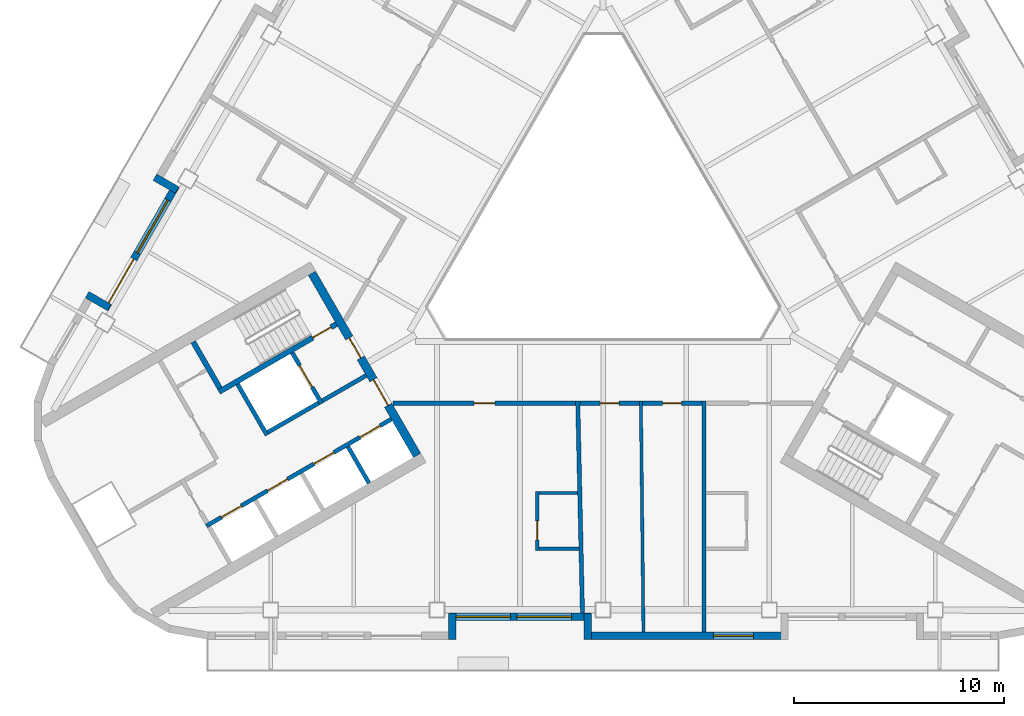
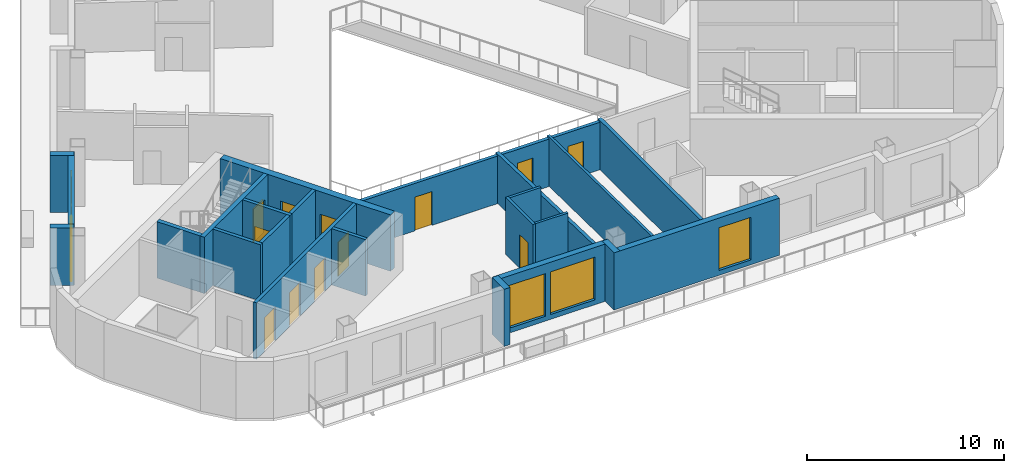
# One storey, part 3 of 13: 25 walls, 13 doors, 4 windows, 17 openings.
"""IFC4 building model written with IfcOpenShell, lengths in metres."""

from ifc_helpers import new_model, si_unit, direction, frame, frame_2d, origin, place, context, subcontext, project, spatial, rectangle, extrude, material, layer, layer_set, type_object, element, fill, save


model = new_model("IFC4")

# Units and contexts
model_context = context("Model", 3, precision=1e-05, world=origin(), true_north=direction((0.0, 1.0)))
body_context = subcontext(model_context, "Body", "Model", "MODEL_VIEW")
ifc_project = project(units=[si_unit("LENGTHUNIT", "METRE"), si_unit("AREAUNIT", "SQUARE_METRE"), si_unit("VOLUMEUNIT", "CUBIC_METRE"), si_unit("PLANEANGLEUNIT", "RADIAN"), si_unit("MASSUNIT", "GRAM", prefix="KILO")], contexts=[model_context])

# Site, building, storey
site_placement = place(None, origin())
site = spatial("IfcSite", under=ifc_project, at=site_placement, CompositionType="ELEMENT")
building_placement = place(site_placement, origin())
building = spatial("IfcBuilding", under=site, at=building_placement, Name="Apuvela Tower Hotel", CompositionType="ELEMENT")
storey_placement = place(building_placement, frame((0.0, 0.0, 194.699951171875)))
storey = spatial("IfcBuildingStorey", under=building, at=storey_placement, Name="L47", CompositionType="ELEMENT", Elevation=194.699951171875)

# Wall, openings, doors
ifc_material_1 = material(Name="Concrete C50/60", Category="concrete")
ifc_layer_1 = layer(ifc_material_1, 0.39990234375)
ifc_layer_set_1 = layer_set([ifc_layer_1], Name="COR-WALL-CORE-400")
wall_type_1 = type_object("IfcWallType", Name="COR-WALL-CORE-400", PredefinedType="SHEAR", material=ifc_layer_set_1)
wall_1_placement = place(storey_placement, frame((-13.844970703125, -2.219970703125, 0.0), z_axis=(0.0, 0.0, 1.0), x_axis=(0.500004234368, -0.866022959057, 0.0)))
wall_1 = element("IfcWall", 1, at=wall_1_placement, inside=storey, type_object=wall_type_1, Name="Core wall SW", PredefinedType="SHEAR", context=body_context, shape_type="SweptSolid", body=[
    extrude(rectangle(XDim=10.0, YDim=0.39990234375, at=frame_2d((5.0, 0.0))), origin(), (0.0, 0.0, 1.0), 3.5),
])
opening_1_placement = place(wall_1_placement, frame((3.550048828125, 0.0, 0.0)))
opening_1 = element("IfcOpeningElement", 2, at=opening_1_placement, cuts=wall_1, Name="Opening W-FD", PredefinedType="OPENING", context=body_context, shape_type="SweptSolid", body=[
    extrude(rectangle(XDim=1.10009765625, YDim=2.10009765625, at=frame_2d((0.550048828125, 1.050048828125))), frame((0.0, 0.2099609375, 0.0), z_axis=(0.0, -1.0, 0.0), x_axis=(1.0, 0.0, 0.0)), (0.0, 0.0, 1.0), 0.419921875),
])
opening_2_placement = place(wall_1_placement, frame((5.85009765625, 0.0, 0.0)))
opening_2 = element("IfcOpeningElement", 3, at=opening_2_placement, cuts=wall_1, Name="Opening W-GD", PredefinedType="OPENING", context=body_context, shape_type="SweptSolid", body=[
    extrude(rectangle(XDim=1.39990234375, YDim=2.10009765625, at=frame_2d((0.699951171875, 1.050048828125))), frame((0.0, 0.2099609375, 0.0), z_axis=(0.0, -1.0, 0.0), x_axis=(1.0, 0.0, 0.0)), (0.0, 0.0, 1.0), 0.419921875),
])
ifc_material_2 = material(Name="Steel fire door, powder coated", Category="steel")
door_type_1 = type_object("IfcDoorType", Name="COR-FD-1100", OperationType="NOTDEFINED", PredefinedType="DOOR", material=ifc_material_2)
door_1_placement = place(opening_1_placement, frame((1.10009765625, 0.0, 0.0), z_axis=(0.0, 0.0, 1.0), x_axis=(-1.0, 0.0, 0.0)))
door_1 = element("IfcDoor", 4, at=door_1_placement, inside=storey, type_object=door_type_1, Name="Firefighting lobby door W-FD", OperationType="SINGLE_SWING_LEFT", OverallHeight=2.10009765625, OverallWidth=1.10009765625, PredefinedType="DOOR", context=body_context, shape_type="SweptSolid", body=[
    extrude(rectangle(XDim=1.10009765625, YDim=2.10009765625, at=frame_2d((0.550048828125, 1.050048828125))), frame((0.0, 0.02490234375, 0.0), z_axis=(0.0, -1.0, 0.0), x_axis=(1.0, 0.0, 0.0)), (0.0, 0.0, 1.0), 0.050048828125),
])
fill(opening_1, door_1)
ifc_material_3 = material(Name="Glazed steel fire door", Category="steel")
door_type_2 = type_object("IfcDoorType", Name="COR-GD-1400", OperationType="DOUBLE_DOOR_SINGLE_SWING", PredefinedType="DOOR", material=ifc_material_3)
door_2_placement = place(opening_2_placement, frame((1.39990234375, 0.0, 0.0), z_axis=(0.0, 0.0, 1.0), x_axis=(-1.0, 0.0, 0.0)))
door_2 = element("IfcDoor", 5, at=door_2_placement, inside=storey, type_object=door_type_2, Name="Lift lobby door W-GD", OperationType="DOUBLE_DOOR_SINGLE_SWING", OverallHeight=2.10009765625, OverallWidth=1.39990234375, PredefinedType="DOOR", context=body_context, shape_type="SweptSolid", body=[
    extrude(rectangle(XDim=1.39990234375, YDim=2.10009765625, at=frame_2d((0.699951171875, 1.050048828125))), frame((0.0, 0.02490234375, 0.0), z_axis=(0.0, -1.0, 0.0), x_axis=(1.0, 0.0, 0.0)), (0.0, 0.0, 1.0), 0.050048828125),
])
fill(opening_2, door_2)

# Wall
ifc_layer_2 = layer(ifc_material_1, 0.199951171875)
ifc_layer_set_2 = layer_set([ifc_layer_2], Name="COR-WALL-SHAFT-200")
wall_type_2 = type_object("IfcWallType", Name="COR-WALL-SHAFT-200", PredefinedType="SHEAR", material=ifc_layer_set_2)
wall_2_placement = place(storey_placement, frame((-17.38134765625, -7.49462890625, 0.0), z_axis=(0.0, 0.0, 1.0), x_axis=(0.500011755427, -0.866018616679, 0.0)))
element("IfcWall", 6, at=wall_2_placement, inside=storey, type_object=wall_type_2, Name="Shaft wall SW", PredefinedType="SHEAR", context=body_context, shape_type="SweptSolid", body=[
    extrude(rectangle(XDim=2.80029296875, YDim=0.199951171875, at=frame_2d((1.400146484375, 0.0))), origin(), (0.0, 0.0, 1.0), 3.5),
])

# Wall, opening, door
wall_3_placement = place(storey_placement, frame((-14.783203125, -5.99462890625, 0.0), z_axis=(0.0, 0.0, 1.0), x_axis=(0.49994636267, -0.866056369097, 0.0)))
wall_3 = element("IfcWall", 7, at=wall_3_placement, inside=storey, type_object=wall_type_2, Name="Shaft wall SW", PredefinedType="SHEAR", context=body_context, shape_type="SweptSolid", body=[
    extrude(rectangle(XDim=2.800048828125, YDim=0.199951171875, at=frame_2d((1.39990234375, 0.0))), origin(), (0.0, 0.0, 1.0), 3.5),
])
opening_3_placement = place(wall_3_placement, frame((0.699951171875, 0.0, 0.0)))
opening_3 = element("IfcOpeningElement", 8, at=opening_3_placement, cuts=wall_3, Name="Opening W-LD-FS2", PredefinedType="OPENING", context=body_context, shape_type="SweptSolid", body=[
    extrude(rectangle(XDim=1.199951171875, YDim=2.10009765625, at=frame_2d((0.60009765625, 1.050048828125))), frame((0.0, 0.10986328125, 0.0), z_axis=(0.0, -1.0, 0.0), x_axis=(1.0, 0.0, 0.0)), (0.0, 0.0, 1.0), 0.219970703125),
])
ifc_material_4 = material(Name="Stainless steel lift landing door", Category="steel")
door_type_3 = type_object("IfcDoorType", Name="COR-LD-1200", OperationType="DOUBLE_DOOR_SLIDING", PredefinedType="DOOR", material=ifc_material_4)
door_3_placement = place(opening_3_placement, origin())
door_3 = element("IfcDoor", 9, at=door_3_placement, inside=storey, type_object=door_type_3, Name="Lift landing door W-LD-FS2", OperationType="DOUBLE_DOOR_SLIDING", OverallHeight=2.10009765625, OverallWidth=1.199951171875, PredefinedType="DOOR", context=body_context, shape_type="SweptSolid", body=[
    extrude(rectangle(XDim=1.199951171875, YDim=2.10009765625, at=frame_2d((0.60009765625, 1.050048828125))), frame((0.0, 0.02490234375, 0.0), z_axis=(0.0, -1.0, 0.0), x_axis=(1.0, 0.0, 0.0)), (0.0, 0.0, 1.0), 0.050048828125),
])
fill(opening_3, door_3)

# Walls
wall_4_placement = place(storey_placement, frame((-13.519775390625, -8.383056640625, 0.0), z_axis=(0.0, 0.0, 1.0), x_axis=(-0.866034573852, -0.49998411664, 0.0)))
element("IfcWall", 10, at=wall_4_placement, inside=storey, type_object=wall_type_2, Name="Shaft wall SW", PredefinedType="SHEAR", context=body_context, shape_type="SweptSolid", body=[
    extrude(rectangle(XDim=2.7998046875, YDim=0.199951171875, at=frame_2d((1.39990234375, 0.0))), origin(), (0.0, 0.0, 1.0), 3.5),
])
wall_5_placement = place(storey_placement, frame((-11.26806640625, -7.0830078125, 0.0), z_axis=(0.0, 0.0, 1.0), x_axis=(-0.866050077142, -0.499957262057, 0.0)))
element("IfcWall", 11, at=wall_5_placement, inside=storey, type_object=wall_type_2, Name="Shaft wall SW", PredefinedType="SHEAR", context=body_context, shape_type="SweptSolid", body=[
    extrude(rectangle(XDim=2.400146484375, YDim=0.199951171875, at=frame_2d((1.2001953125, 0.0))), origin(), (0.0, 0.0, 1.0), 3.5),
])

# Wall, openings, doors
wall_6_placement = place(storey_placement, frame((-10.068115234375, -9.16162109375, 0.0), z_axis=(0.0, 0.0, 1.0), x_axis=(-0.866032725843, -0.499987317609, 0.0)))
wall_6 = element("IfcWall", 12, at=wall_6_placement, inside=storey, type_object=wall_type_2, Name="Shaft wall SW", PredefinedType="SHEAR", context=body_context, shape_type="SweptSolid", body=[
    extrude(rectangle(XDim=10.159912109375, YDim=0.199951171875, at=frame_2d((5.080078125, 0.0))), origin(), (0.0, 0.0, 1.0), 3.5),
])
opening_4_placement = place(wall_6_placement, frame((0.6201171875, 0.0, 0.0)))
opening_4 = element("IfcOpeningElement", 13, at=opening_4_placement, cuts=wall_6, Name="Opening W-LD-MR1", PredefinedType="OPENING", context=body_context, shape_type="SweptSolid", body=[
    extrude(rectangle(XDim=1.10009765625, YDim=2.10009765625, at=frame_2d((0.550048828125, 1.050048828125))), frame((0.0, 0.10986328125, 0.0), z_axis=(0.0, -1.0, 0.0), x_axis=(1.0, 0.0, 0.0)), (0.0, 0.0, 1.0), 0.219970703125),
])
opening_5_placement = place(wall_6_placement, frame((3.159912109375, 0.0, 0.0)))
opening_5 = element("IfcOpeningElement", 14, at=opening_5_placement, cuts=wall_6, Name="Opening W-LD-MR2", PredefinedType="OPENING", context=body_context, shape_type="SweptSolid", body=[
    extrude(rectangle(XDim=1.10009765625, YDim=2.10009765625, at=frame_2d((0.550048828125, 1.050048828125))), frame((0.0, 0.10986328125, 0.0), z_axis=(0.0, -1.0, 0.0), x_axis=(1.0, 0.0, 0.0)), (0.0, 0.0, 1.0), 0.219970703125),
])
opening_6_placement = place(wall_6_placement, frame((5.699951171875, 0.0, 0.0)))
opening_6 = element("IfcOpeningElement", 15, at=opening_6_placement, cuts=wall_6, Name="Opening W-LD-MR3", PredefinedType="OPENING", context=body_context, shape_type="SweptSolid", body=[
    extrude(rectangle(XDim=1.10009765625, YDim=2.10009765625, at=frame_2d((0.550048828125, 1.050048828125))), frame((0.0, 0.10986328125, 0.0), z_axis=(0.0, -1.0, 0.0), x_axis=(1.0, 0.0, 0.0)), (0.0, 0.0, 1.0), 0.219970703125),
])
opening_7_placement = place(wall_6_placement, frame((8.239990234375, 0.0, 0.0)))
opening_7 = element("IfcOpeningElement", 16, at=opening_7_placement, cuts=wall_6, Name="Opening W-LD-MR4", PredefinedType="OPENING", context=body_context, shape_type="SweptSolid", body=[
    extrude(rectangle(XDim=1.10009765625, YDim=2.10009765625, at=frame_2d((0.550048828125, 1.050048828125))), frame((0.0, 0.10986328125, 0.0), z_axis=(0.0, -1.0, 0.0), x_axis=(1.0, 0.0, 0.0)), (0.0, 0.0, 1.0), 0.219970703125),
])
door_type_4 = type_object("IfcDoorType", Name="COR-LD-1100", OperationType="DOUBLE_DOOR_SLIDING", PredefinedType="DOOR", material=ifc_material_4)
door_4_placement = place(opening_4_placement, origin())
door_4 = element("IfcDoor", 17, at=door_4_placement, inside=storey, type_object=door_type_4, Name="Lift landing door W-LD-MR1", OperationType="DOUBLE_DOOR_SLIDING", OverallHeight=2.10009765625, OverallWidth=1.10009765625, PredefinedType="DOOR", context=body_context, shape_type="SweptSolid", body=[
    extrude(rectangle(XDim=1.10009765625, YDim=2.10009765625, at=frame_2d((0.550048828125, 1.050048828125))), frame((0.0, 0.02490234375, 0.0), z_axis=(0.0, -1.0, 0.0), x_axis=(1.0, 0.0, 0.0)), (0.0, 0.0, 1.0), 0.050048828125),
])
fill(opening_4, door_4)
door_5_placement = place(opening_5_placement, origin())
door_5 = element("IfcDoor", 18, at=door_5_placement, inside=storey, type_object=door_type_4, Name="Lift landing door W-LD-MR2", OperationType="DOUBLE_DOOR_SLIDING", OverallHeight=2.10009765625, OverallWidth=1.10009765625, PredefinedType="DOOR", context=body_context, shape_type="SweptSolid", body=[
    extrude(rectangle(XDim=1.10009765625, YDim=2.10009765625, at=frame_2d((0.550048828125, 1.050048828125))), frame((0.0, 0.02490234375, 0.0), z_axis=(0.0, -1.0, 0.0), x_axis=(1.0, 0.0, 0.0)), (0.0, 0.0, 1.0), 0.050048828125),
])
fill(opening_5, door_5)
door_6_placement = place(opening_6_placement, origin())
door_6 = element("IfcDoor", 19, at=door_6_placement, inside=storey, type_object=door_type_4, Name="Lift landing door W-LD-MR3", OperationType="DOUBLE_DOOR_SLIDING", OverallHeight=2.10009765625, OverallWidth=1.10009765625, PredefinedType="DOOR", context=body_context, shape_type="SweptSolid", body=[
    extrude(rectangle(XDim=1.10009765625, YDim=2.10009765625, at=frame_2d((0.550048828125, 1.050048828125))), frame((0.0, 0.02490234375, 0.0), z_axis=(0.0, -1.0, 0.0), x_axis=(1.0, 0.0, 0.0)), (0.0, 0.0, 1.0), 0.050048828125),
])
fill(opening_6, door_6)
door_7_placement = place(opening_7_placement, origin())
door_7 = element("IfcDoor", 20, at=door_7_placement, inside=storey, type_object=door_type_4, Name="Lift landing door W-LD-MR4", OperationType="DOUBLE_DOOR_SLIDING", OverallHeight=2.10009765625, OverallWidth=1.10009765625, PredefinedType="DOOR", context=body_context, shape_type="SweptSolid", body=[
    extrude(rectangle(XDim=1.10009765625, YDim=2.10009765625, at=frame_2d((0.550048828125, 1.050048828125))), frame((0.0, 0.02490234375, 0.0), z_axis=(0.0, -1.0, 0.0), x_axis=(1.0, 0.0, 0.0)), (0.0, 0.0, 1.0), 0.050048828125),
])
fill(opening_7, door_7)

# Wall
wall_7_placement = place(storey_placement, frame((-12.131103515625, -10.468017578125, 0.0), z_axis=(0.0, 0.0, 1.0), x_axis=(0.499972520799, -0.866041268327, 0.0)))
element("IfcWall", 21, at=wall_7_placement, inside=storey, type_object=wall_type_2, Name="Shaft wall SW", PredefinedType="SHEAR", context=body_context, shape_type="SweptSolid", body=[
    extrude(rectangle(XDim=2.0, YDim=0.199951171875, at=frame_2d((1.0, 0.0))), origin(), (0.0, 0.0, 1.0), 3.5),
])

# Wall, opening, door
ifc_layer_3 = layer(ifc_material_1, 0.25)
ifc_layer_set_3 = layer_set([ifc_layer_3], Name="COR-WALL-STAIR-250")
wall_type_3 = type_object("IfcWallType", Name="COR-WALL-STAIR-250", PredefinedType="SHEAR", material=ifc_layer_set_3)
wall_8_placement = place(storey_placement, frame((-12.6806640625, -4.636474609375, 0.0), z_axis=(0.0, 0.0, 1.0), x_axis=(-0.866021702275, -0.500006411147, 0.0)))
wall_8 = element("IfcWall", 22, at=wall_8_placement, inside=storey, type_object=wall_type_3, Name="Stair wall SW", PredefinedType="SHEAR", context=body_context, shape_type="SweptSolid", body=[
    extrude(rectangle(XDim=6.4501953125, YDim=0.25, at=frame_2d((3.22509765625, 0.0))), origin(), (0.0, 0.0, 1.0), 3.5),
])
opening_8_placement = place(wall_8_placement, frame((0.300048828125, 0.0, 0.0)))
opening_8 = element("IfcOpeningElement", 23, at=opening_8_placement, cuts=wall_8, Name="Opening W-SD", PredefinedType="OPENING", context=body_context, shape_type="SweptSolid", body=[
    extrude(rectangle(XDim=1.0, YDim=2.10009765625, at=frame_2d((0.5, 1.050048828125))), frame((0.0, 0.135009765625, 0.0), z_axis=(0.0, -1.0, 0.0), x_axis=(1.0, 0.0, 0.0)), (0.0, 0.0, 1.0), 0.27001953125),
])
door_type_5 = type_object("IfcDoorType", Name="COR-SD-1000", OperationType="NOTDEFINED", PredefinedType="DOOR", material=ifc_material_2)
door_8_placement = place(opening_8_placement, frame((1.0, 0.0, 0.0), z_axis=(0.0, 0.0, 1.0), x_axis=(-1.0, 0.0, 0.0)))
door_8 = element("IfcDoor", 24, at=door_8_placement, inside=storey, type_object=door_type_5, Name="Stair door W-SD", OperationType="SINGLE_SWING_LEFT", OverallHeight=2.10009765625, OverallWidth=1.0, PredefinedType="DOOR", context=body_context, shape_type="SweptSolid", body=[
    extrude(rectangle(XDim=1.0, YDim=2.10009765625, at=frame_2d((0.5, 1.050048828125))), frame((0.0, 0.02490234375, 0.0), z_axis=(0.0, -1.0, 0.0), x_axis=(1.0, 0.0, 0.0)), (0.0, 0.0, 1.0), 0.050048828125),
])
fill(opening_8, door_8)

# Walls
wall_9_placement = place(storey_placement, frame((-19.49560546875, -5.482421875, 0.0), z_axis=(0.0, 0.0, 1.0), x_axis=(0.499990435942, -0.866030925526, 0.0)))
element("IfcWall", 25, at=wall_9_placement, inside=storey, type_object=wall_type_3, Name="Stair wall SW", PredefinedType="SHEAR", context=body_context, shape_type="SweptSolid", body=[
    extrude(rectangle(XDim=2.5498046875, YDim=0.25, at=frame_2d((1.27490234375, 0.0))), origin(), (0.0, 0.0, 1.0), 3.5),
])
ifc_material_5 = material(Name="Concrete C40/50, dark pigmented precast panel", Category="concrete")
ifc_layer_4 = layer(ifc_material_5, 0.35009765625)
ifc_layer_set_4 = layer_set([ifc_layer_4], Name="ENV-WALL-350")
wall_type_4 = type_object("IfcWallType", Name="ENV-WALL-350", PredefinedType="SOLIDWALL", material=ifc_layer_set_4)
wall_10_placement = place(storey_placement, frame((-21.3125, 2.345703125, 0.0), z_axis=(0.0, 0.0, 1.0), x_axis=(0.866005645448, -0.500034220881, 0.0)))
element("IfcWall", 26, at=wall_10_placement, inside=storey, type_object=wall_type_4, Name="External wall L47-06", PredefinedType="SOLIDWALL", context=body_context, shape_type="SweptSolid", body=[
    extrude(rectangle(XDim=1.22021484375, YDim=0.35009765625, at=frame_2d((0.610107421875, 0.0))), origin(), (0.0, 0.0, 1.0), 3.550048828125),
])

# Wall, openings, door, window
wall_11_placement = place(storey_placement, frame((-20.30908203125, 1.93359375, 0.0), z_axis=(0.0, 0.0, 1.0), x_axis=(-0.499992114976, -0.866029956157, 0.0)))
wall_11 = element("IfcWall", 27, at=wall_11_placement, inside=storey, type_object=wall_type_4, Name="External wall L47-07", PredefinedType="SOLIDWALL", context=body_context, shape_type="SweptSolid", body=[
    extrude(rectangle(XDim=6.73974609375, YDim=0.35009765625, at=frame_2d((3.369873046875, 0.0))), origin(), (0.0, 0.0, 1.0), 3.550048828125),
])
opening_9_placement = place(wall_11_placement, frame((4.02001953125, 0.0, 0.0)))
opening_9 = element("IfcOpeningElement", 28, at=opening_9_placement, cuts=wall_11, Name="Opening BD24", PredefinedType="OPENING", context=body_context, shape_type="SweptSolid", body=[
    extrude(rectangle(XDim=2.39990234375, YDim=2.39990234375, at=frame_2d((1.199951171875, 1.199951171875))), frame((0.0, 0.18505859375, 0.0), z_axis=(0.0, -1.0, 0.0), x_axis=(1.0, 0.0, 0.0)), (0.0, 0.0, 1.0), 0.3701171875),
])
opening_10_placement = place(wall_11_placement, frame((0.77001953125, 0.0, 0.300048828125)))
opening_10 = element("IfcOpeningElement", 29, at=opening_10_placement, cuts=wall_11, Name="Opening WN29", PredefinedType="OPENING", context=body_context, shape_type="SweptSolid", body=[
    extrude(rectangle(XDim=2.89990234375, YDim=2.64990234375, at=frame_2d((1.449951171875, 1.324951171875))), frame((0.0, 0.18505859375, 0.0), z_axis=(0.0, -1.0, 0.0), x_axis=(1.0, 0.0, 0.0)), (0.0, 0.0, 1.0), 0.3701171875),
])
ifc_material_6 = material(Name="Aluminium 6063-T6, dark bronze anodised frame with dark tinted laminated glass", Category="aluminium")
door_type_6 = type_object("IfcDoorType", Name="ENV-DOOR-BALCONY-2400x2400", OperationType="SLIDING_TO_LEFT", PredefinedType="DOOR", material=ifc_material_6)
door_9_placement = place(opening_9_placement, frame((2.39990234375, 0.0, 0.0), z_axis=(0.0, 0.0, 1.0), x_axis=(-1.0, 0.0, 0.0)))
door_9 = element("IfcDoor", 30, at=door_9_placement, inside=storey, type_object=door_type_6, Name="Balcony door BD24", OperationType="SLIDING_TO_LEFT", OverallHeight=2.39990234375, OverallWidth=2.39990234375, PredefinedType="DOOR", context=body_context, shape_type="SweptSolid", body=[
    extrude(rectangle(XDim=2.39990234375, YDim=2.39990234375, at=frame_2d((1.199951171875, 1.199951171875))), frame((0.0, 0.02490234375, 0.0), z_axis=(0.0, -1.0, 0.0), x_axis=(1.0, 0.0, 0.0)), (0.0, 0.0, 1.0), 0.050048828125),
])
fill(opening_9, door_9)
ifc_material_7 = material(Name="Glass, dark tinted laminated insulated glazing unit", Category="glass")
window_type_1 = type_object("IfcWindowType", Name="ENV-WIN-2900x2650", PartitioningType="SINGLE_PANEL", PredefinedType="WINDOW", material=ifc_material_7)
window_1_placement = place(opening_10_placement, origin())
window_1 = element("IfcWindow", 31, at=window_1_placement, inside=storey, type_object=window_type_1, Name="Window WN29", OverallHeight=2.64990234375, OverallWidth=2.89990234375, PartitioningType="SINGLE_PANEL", PredefinedType="WINDOW", context=body_context, shape_type="SweptSolid", body=[
    extrude(rectangle(XDim=2.89990234375, YDim=2.64990234375, at=frame_2d((1.449951171875, 1.324951171875))), frame((0.0, 0.030029296875, 0.0), z_axis=(0.0, -1.0, 0.0), x_axis=(1.0, 0.0, 0.0)), (0.0, 0.0, 1.0), 0.06005859375),
])
fill(opening_10, window_1)

# Walls
for number, where, z_axis, x_axis, name in (
    (32, (-23.48095703125, -3.85009765625, 0.0), (0.0, 0.0, 1.0), (-0.866092288191, 0.499884134912, 0.0), "External wall L47-08"),
    (33, (-7.175048828125, -19.6298828125, 0.0), (0.0, 0.0, 1.0), (0.0, 1.0, 0.0), "External wall L47-18"),
):
    element("IfcWall", number, at=place(storey_placement, frame(where, z_axis=z_axis, x_axis=x_axis)), inside=storey, type_object=wall_type_4, Name=name, PredefinedType="SOLIDWALL", context=body_context, shape_type="SweptSolid", body=[
        extrude(rectangle(XDim=1.219970703125, YDim=0.35009765625, at=frame_2d((0.60986328125, 0.0))), origin(), (0.0, 0.0, 1.0), 3.550048828125),
    ])

# Wall, openings, windows
wall_12_placement = place(storey_placement, frame((-7.320068359375, -18.554931640625, 0.0), z_axis=(0.0, 0.0, 1.0), x_axis=(1.0, 0.0, 0.0)))
wall_12 = element("IfcWall", 34, at=wall_12_placement, inside=storey, type_object=wall_type_4, Name="External wall L47-19", PredefinedType="SOLIDWALL", context=body_context, shape_type="SweptSolid", body=[
    extrude(rectangle(XDim=6.739990234375, YDim=0.35009765625, at=frame_2d((3.3701171875, 0.0))), origin(), (0.0, 0.0, 1.0), 3.550048828125),
])
opening_11_placement = place(wall_12_placement, frame((0.3203125, 0.0, 0.300048828125)))
opening_11 = element("IfcOpeningElement", 35, at=opening_11_placement, cuts=wall_12, Name="Opening WN26", PredefinedType="OPENING", context=body_context, shape_type="SweptSolid", body=[
    extrude(rectangle(XDim=2.60009765625, YDim=2.64990234375, at=frame_2d((1.300048828125, 1.324951171875))), frame((0.0, 0.18505859375, 0.0), z_axis=(0.0, -1.0, 0.0), x_axis=(1.0, 0.0, 0.0)), (0.0, 0.0, 1.0), 0.3701171875),
])
opening_12_placement = place(wall_12_placement, frame((3.220458984375, 0.0, 0.300048828125)))
opening_12 = element("IfcOpeningElement", 36, at=opening_12_placement, cuts=wall_12, Name="Opening WN26", PredefinedType="OPENING", context=body_context, shape_type="SweptSolid", body=[
    extrude(rectangle(XDim=2.60009765625, YDim=2.64990234375, at=frame_2d((1.300048828125, 1.324951171875))), frame((0.0, 0.18505859375, 0.0), z_axis=(0.0, -1.0, 0.0), x_axis=(1.0, 0.0, 0.0)), (0.0, 0.0, 1.0), 0.3701171875),
])
window_type_2 = type_object("IfcWindowType", Name="ENV-WIN-2600x2650", PartitioningType="SINGLE_PANEL", PredefinedType="WINDOW", material=ifc_material_7)
window_2_placement = place(opening_11_placement, origin())
window_2 = element("IfcWindow", 37, at=window_2_placement, inside=storey, type_object=window_type_2, Name="Window WN26", OverallHeight=2.64990234375, OverallWidth=2.60009765625, PartitioningType="SINGLE_PANEL", PredefinedType="WINDOW", context=body_context, shape_type="SweptSolid", body=[
    extrude(rectangle(XDim=2.60009765625, YDim=2.64990234375, at=frame_2d((1.300048828125, 1.324951171875))), frame((0.0, 0.030029296875, 0.0), z_axis=(0.0, -1.0, 0.0), x_axis=(1.0, 0.0, 0.0)), (0.0, 0.0, 1.0), 0.06005859375),
])
fill(opening_11, window_2)
window_3_placement = place(opening_12_placement, origin())
window_3 = element("IfcWindow", 38, at=window_3_placement, inside=storey, type_object=window_type_2, Name="Window WN26", OverallHeight=2.64990234375, OverallWidth=2.60009765625, PartitioningType="SINGLE_PANEL", PredefinedType="WINDOW", context=body_context, shape_type="SweptSolid", body=[
    extrude(rectangle(XDim=2.60009765625, YDim=2.64990234375, at=frame_2d((1.300048828125, 1.324951171875))), frame((0.0, 0.030029296875, 0.0), z_axis=(0.0, -1.0, 0.0), x_axis=(1.0, 0.0, 0.0)), (0.0, 0.0, 1.0), 0.06005859375),
])
fill(opening_12, window_3)

# Wall
wall_13_placement = place(storey_placement, frame((-0.72509765625, -18.409912109375, 0.0), z_axis=(0.0, 0.0, 1.0), x_axis=(0.0, -1.0, 0.0)))
element("IfcWall", 39, at=wall_13_placement, inside=storey, type_object=wall_type_4, Name="External wall L47-20", PredefinedType="SOLIDWALL", context=body_context, shape_type="SweptSolid", body=[
    extrude(rectangle(XDim=1.219970703125, YDim=0.35009765625, at=frame_2d((0.60986328125, 0.0))), origin(), (0.0, 0.0, 1.0), 3.550048828125),
])

# Wall, opening, window
wall_14_placement = place(storey_placement, frame((-0.89990234375, -19.455078125, 0.0), z_axis=(0.0, 0.0, 1.0), x_axis=(1.0, 0.0, 0.0)))
wall_14 = element("IfcWall", 40, at=wall_14_placement, inside=storey, type_object=wall_type_4, Name="External wall L47-21", PredefinedType="SOLIDWALL", context=body_context, shape_type="SweptSolid", body=[
    extrude(rectangle(XDim=9.699951171875, YDim=0.35009765625, at=frame_2d((4.85009765625, 0.0))), origin(), (0.0, 0.0, 1.0), 3.550048828125),
])
opening_13_placement = place(wall_14_placement, frame((6.150390625, 0.0, 0.300048828125)))
opening_13 = element("IfcOpeningElement", 41, at=opening_13_placement, cuts=wall_14, Name="Opening WN19", PredefinedType="OPENING", context=body_context, shape_type="SweptSolid", body=[
    extrude(rectangle(XDim=1.89990234375, YDim=2.64990234375, at=frame_2d((0.949951171875, 1.324951171875))), frame((0.0, 0.18505859375, 0.0), z_axis=(0.0, -1.0, 0.0), x_axis=(1.0, 0.0, 0.0)), (0.0, 0.0, 1.0), 0.3701171875),
])
window_type_3 = type_object("IfcWindowType", Name="ENV-WIN-1900x2650", PartitioningType="SINGLE_PANEL", PredefinedType="WINDOW", material=ifc_material_7)
window_4_placement = place(opening_13_placement, origin())
window_4 = element("IfcWindow", 42, at=window_4_placement, inside=storey, type_object=window_type_3, Name="Window WN19", OverallHeight=2.64990234375, OverallWidth=1.89990234375, PartitioningType="SINGLE_PANEL", PredefinedType="WINDOW", context=body_context, shape_type="SweptSolid", body=[
    extrude(rectangle(XDim=1.89990234375, YDim=2.64990234375, at=frame_2d((0.949951171875, 1.324951171875))), frame((0.0, 0.030029296875, 0.0), z_axis=(0.0, -1.0, 0.0), x_axis=(1.0, 0.0, 0.0)), (0.0, 0.0, 1.0), 0.06005859375),
])
fill(opening_13, window_4)

# Walls
ifc_material_8 = material(Name="Gypsum board partition on twin steel stud", Category="steel")
ifc_layer_5 = layer(ifc_material_8, 0.199951171875)
ifc_layer_set_5 = layer_set([ifc_layer_5], Name="GST-PW1")
wall_type_5 = type_object("IfcWallType", Name="GST-PW1", PredefinedType="PARTITIONING", material=ifc_layer_set_5)
wall_15_placement = place(storey_placement, frame((-0.97998046875, -18.3798828125, 0.0), z_axis=(0.0, 0.0, 1.0), x_axis=(-0.022277513004, 0.999751825412, 0.0)))
element("IfcWall", 43, at=wall_15_placement, inside=storey, type_object=wall_type_5, Name="L47 partition 01", PredefinedType="PARTITIONING", context=body_context, shape_type="SweptSolid", body=[
    extrude(rectangle(XDim=10.082275390625, YDim=0.199951171875, at=frame_2d((5.041015625, 0.0))), origin(), (0.0, 0.0, 1.0), 3.06005859375),
])
wall_16_placement = place(storey_placement, frame((4.800048828125, -19.280029296875, 0.0), z_axis=(0.0, 0.0, 1.0), x_axis=(0.0, 1.0, 0.0)))
element("IfcWall", 44, at=wall_16_placement, inside=storey, type_object=wall_type_5, Name="L47 partition 02", PredefinedType="PARTITIONING", context=body_context, shape_type="SweptSolid", body=[
    extrude(rectangle(XDim=10.97998046875, YDim=0.199951171875, at=frame_2d((5.489990234375, 0.0))), origin(), (0.0, 0.0, 1.0), 3.06005859375),
])

# Wall, opening, door
ifc_material_9 = material(Name="Gypsum board corridor wall on twin steel stud, acoustic", Category="steel")
ifc_layer_6 = layer(ifc_material_9, 0.199951171875)
ifc_layer_set_6 = layer_set([ifc_layer_6], Name="GST-PW2")
wall_type_6 = type_object("IfcWallType", Name="GST-PW2", PredefinedType="PARTITIONING", material=ifc_layer_set_6)
wall_17_placement = place(storey_placement, frame((-1.30224609375, -8.39990234375, 0.0), z_axis=(0.0, 0.0, 1.0), x_axis=(-1.0, 0.0, 0.0)))
wall_17 = element("IfcWall", 45, at=wall_17_placement, inside=storey, type_object=wall_type_6, Name="L47 partition 07", PredefinedType="PARTITIONING", context=body_context, shape_type="SweptSolid", body=[
    extrude(rectangle(XDim=8.68603515625, YDim=0.199951171875, at=frame_2d((4.343017578125, 0.0))), origin(), (0.0, 0.0, 1.0), 2.949951171875),
])
opening_14_placement = place(wall_17_placement, frame((3.843017578125, 0.0, 0.0)))
opening_14 = element("IfcOpeningElement", 46, at=opening_14_placement, cuts=wall_17, Name="Opening GD18-02", PredefinedType="OPENING", context=body_context, shape_type="SweptSolid", body=[
    extrude(rectangle(XDim=1.0, YDim=2.10009765625, at=frame_2d((0.5, 1.050048828125))), frame((0.0, 0.10986328125, 0.0), z_axis=(0.0, -1.0, 0.0), x_axis=(1.0, 0.0, 0.0)), (0.0, 0.0, 1.0), 0.219970703125),
])
ifc_material_10 = material(Name="Timber door leaf in steel frame", Category="steel")
door_type_7 = type_object("IfcDoorType", Name="GST-D1", OperationType="NOTDEFINED", PredefinedType="DOOR", material=ifc_material_10)
door_10_placement = place(opening_14_placement, origin())
door_10 = element("IfcDoor", 47, at=door_10_placement, inside=storey, type_object=door_type_7, Name="Door L47-02", OperationType="SINGLE_SWING_LEFT", OverallHeight=2.10009765625, OverallWidth=1.0, PredefinedType="DOOR", context=body_context, shape_type="SweptSolid", body=[
    extrude(rectangle(XDim=1.0, YDim=2.10009765625, at=frame_2d((0.5, 1.050048828125))), frame((0.0, 0.02490234375, 0.0), z_axis=(0.0, -1.0, 0.0), x_axis=(1.0, 0.0, 0.0)), (0.0, 0.0, 1.0), 0.050048828125),
])
fill(opening_14, door_10)

wall_18_placement = place(storey_placement, frame((1.723876953125, -8.39990234375, 0.0), z_axis=(0.0, 0.0, 1.0), x_axis=(-1.0, 0.0, 0.0)))
wall_18 = element("IfcWall", 48, at=wall_18_placement, inside=storey, type_object=wall_type_6, Name="L47 partition 12", PredefinedType="PARTITIONING", context=body_context, shape_type="SweptSolid", body=[
    extrude(rectangle(XDim=2.826171875, YDim=0.199951171875, at=frame_2d((1.4130859375, 0.0))), origin(), (0.0, 0.0, 1.0), 2.949951171875),
])
opening_15_placement = place(wall_18_placement, frame((0.963134765625, 0.0, 0.0)))
opening_15 = element("IfcOpeningElement", 49, at=opening_15_placement, cuts=wall_18, Name="Opening GD18-03", PredefinedType="OPENING", context=body_context, shape_type="SweptSolid", body=[
    extrude(rectangle(XDim=0.89990234375, YDim=2.10009765625, at=frame_2d((0.449951171875, 1.050048828125))), frame((0.0, 0.10986328125, 0.0), z_axis=(0.0, -1.0, 0.0), x_axis=(1.0, 0.0, 0.0)), (0.0, 0.0, 1.0), 0.219970703125),
])
door_type_8 = type_object("IfcDoorType", Name="GST-D2", OperationType="NOTDEFINED", PredefinedType="DOOR", material=ifc_material_10)
door_11_placement = place(opening_15_placement, origin())
door_11 = element("IfcDoor", 50, at=door_11_placement, inside=storey, type_object=door_type_8, Name="Door L47-03", OperationType="SINGLE_SWING_LEFT", OverallHeight=2.10009765625, OverallWidth=0.89990234375, PredefinedType="DOOR", context=body_context, shape_type="SweptSolid", body=[
    extrude(rectangle(XDim=0.89990234375, YDim=2.10009765625, at=frame_2d((0.449951171875, 1.050048828125))), frame((0.0, 0.02490234375, 0.0), z_axis=(0.0, -1.0, 0.0), x_axis=(1.0, 0.0, 0.0)), (0.0, 0.0, 1.0), 0.050048828125),
])
fill(opening_15, door_11)

wall_19_placement = place(storey_placement, frame((4.699951171875, -8.39990234375, 0.0), z_axis=(0.0, 0.0, 1.0), x_axis=(-1.0, 0.0, 0.0)))
wall_19 = element("IfcWall", 51, at=wall_19_placement, inside=storey, type_object=wall_type_6, Name="L47 partition 13", PredefinedType="PARTITIONING", context=body_context, shape_type="SweptSolid", body=[
    extrude(rectangle(XDim=2.826171875, YDim=0.199951171875, at=frame_2d((1.4130859375, 0.0))), origin(), (0.0, 0.0, 1.0), 2.949951171875),
])
opening_16_placement = place(wall_19_placement, frame((0.963134765625, 0.0, 0.0)))
opening_16 = element("IfcOpeningElement", 52, at=opening_16_placement, cuts=wall_19, Name="Opening GD18-04", PredefinedType="OPENING", context=body_context, shape_type="SweptSolid", body=[
    extrude(rectangle(XDim=0.89990234375, YDim=2.10009765625, at=frame_2d((0.449951171875, 1.050048828125))), frame((0.0, 0.10986328125, 0.0), z_axis=(0.0, -1.0, 0.0), x_axis=(1.0, 0.0, 0.0)), (0.0, 0.0, 1.0), 0.219970703125),
])
door_12_placement = place(opening_16_placement, origin())
door_12 = element("IfcDoor", 53, at=door_12_placement, inside=storey, type_object=door_type_8, Name="Door L47-04", OperationType="SINGLE_SWING_RIGHT", OverallHeight=2.10009765625, OverallWidth=0.89990234375, PredefinedType="DOOR", context=body_context, shape_type="SweptSolid", body=[
    extrude(rectangle(XDim=0.89990234375, YDim=2.10009765625, at=frame_2d((0.449951171875, 1.050048828125))), frame((0.0, 0.02490234375, 0.0), z_axis=(0.0, -1.0, 0.0), x_axis=(1.0, 0.0, 0.0)), (0.0, 0.0, 1.0), 0.050048828125),
])
fill(opening_16, door_12)

ifc_material_11 = material(Name="Moisture-resistant gypsum board wet wall on steel stud", Category="steel")
ifc_layer_7 = layer(ifc_material_11, 0.14990234375)
ifc_layer_set_7 = layer_set([ifc_layer_7], Name="GST-PW3")
wall_type_7 = type_object("IfcWallType", Name="GST-PW3", PredefinedType="PARTITIONING", material=ifc_layer_set_7)
wall_20_placement = place(storey_placement, frame((-3.1337890625, -12.60009765625, 0.0), z_axis=(0.0, 0.0, 1.0), x_axis=(0.0, -1.0, 0.0)))
wall_20 = element("IfcWall", 54, at=wall_20_placement, inside=storey, type_object=wall_type_7, Name="L47 partition 08", PredefinedType="PARTITIONING", context=body_context, shape_type="SweptSolid", body=[
    extrude(rectangle(XDim=2.7998046875, YDim=0.14990234375, at=frame_2d((1.39990234375, 0.0))), origin(), (0.0, 0.0, 1.0), 3.550048828125),
])
opening_17_placement = place(wall_20_placement, frame((1.39990234375, 0.0, 0.0)))
opening_17 = element("IfcOpeningElement", 55, at=opening_17_placement, cuts=wall_20, Name="Opening GD18-01", PredefinedType="OPENING", context=body_context, shape_type="SweptSolid", body=[
    extrude(rectangle(XDim=0.89990234375, YDim=2.10009765625, at=frame_2d((0.449951171875, 1.050048828125))), frame((0.0, 0.0849609375, 0.0), z_axis=(0.0, -1.0, 0.0), x_axis=(1.0, 0.0, 0.0)), (0.0, 0.0, 1.0), 0.169921875),
])
door_13_placement = place(opening_17_placement, origin())
door_13 = element("IfcDoor", 56, at=door_13_placement, inside=storey, type_object=door_type_8, Name="Door L47-01", OperationType="SINGLE_SWING_RIGHT", OverallHeight=2.10009765625, OverallWidth=0.89990234375, PredefinedType="DOOR", context=body_context, shape_type="SweptSolid", body=[
    extrude(rectangle(XDim=0.89990234375, YDim=2.10009765625, at=frame_2d((0.449951171875, 1.050048828125))), frame((0.0, 0.02490234375, 0.0), z_axis=(0.0, -1.0, 0.0), x_axis=(1.0, 0.0, 0.0)), (0.0, 0.0, 1.0), 0.050048828125),
])
fill(opening_17, door_13)

# Walls
wall_21_placement = place(storey_placement, frame((-3.05859375, -15.324951171875, 0.0), z_axis=(0.0, 0.0, 1.0), x_axis=(1.0, 0.0, 0.0)))
element("IfcWall", 57, at=wall_21_placement, inside=storey, type_object=wall_type_7, Name="L47 partition 09", PredefinedType="PARTITIONING", context=body_context, shape_type="SweptSolid", body=[
    extrude(rectangle(XDim=1.910400390625, YDim=0.14990234375, at=frame_2d((0.955078125, 0.0))), origin(), (0.0, 0.0, 1.0), 3.550048828125),
])
wall_22_placement = place(storey_placement, frame((-3.05859375, -12.675048828125, 0.0), z_axis=(0.0, 0.0, 1.0), x_axis=(1.0, 0.0, 0.0)))
element("IfcWall", 58, at=wall_22_placement, inside=storey, type_object=wall_type_7, Name="L47 partition 10", PredefinedType="PARTITIONING", context=body_context, shape_type="SweptSolid", body=[
    extrude(rectangle(XDim=1.8515625, YDim=0.14990234375, at=frame_2d((0.92578125, 0.0))), origin(), (0.0, 0.0, 1.0), 3.550048828125),
])
wall_23_placement = place(storey_placement, frame((1.919921875, -19.280029296875, 0.0), z_axis=(0.0, 0.0, 1.0), x_axis=(-0.011116847578, 0.999938205941, 0.0)))
element("IfcWall", 59, at=wall_23_placement, inside=storey, type_object=wall_type_7, Name="L47 partition 11", PredefinedType="PARTITIONING", context=body_context, shape_type="SweptSolid", body=[
    extrude(rectangle(XDim=10.980712890625, YDim=0.14990234375, at=frame_2d((5.490234375, 0.0))), origin(), (0.0, 0.0, 1.0), 3.06005859375),
])

save(model, "model.ifc")
